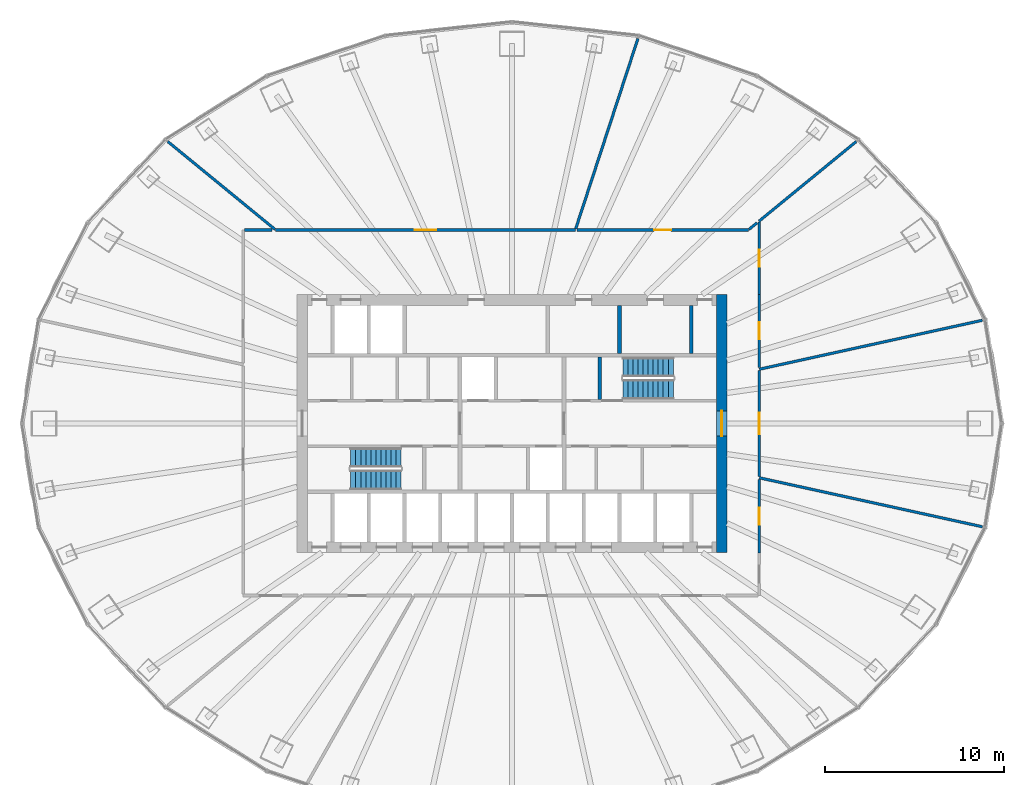
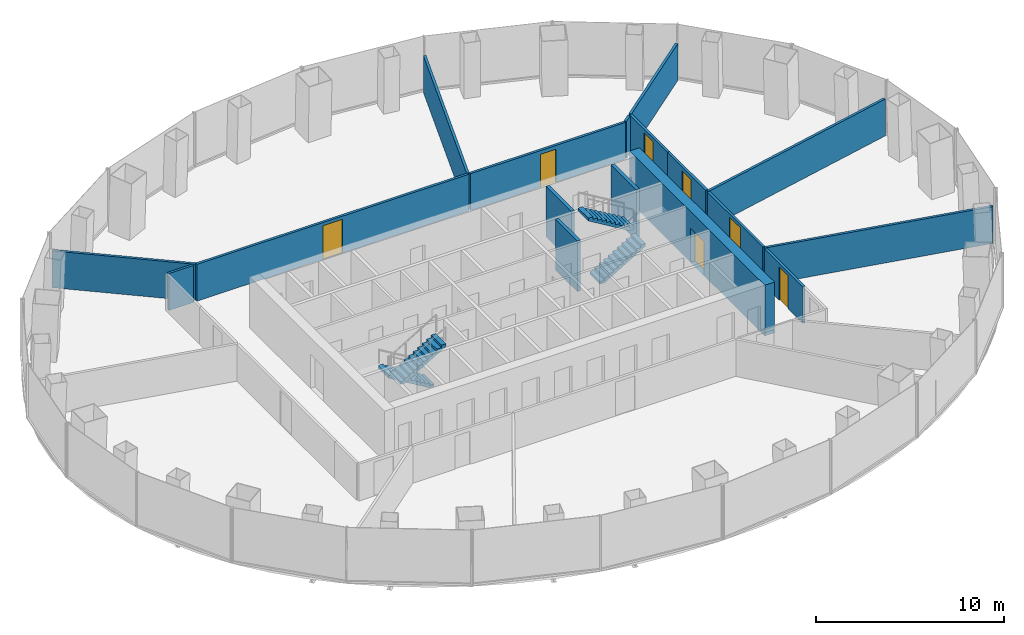
# One storey, part 10 of 11: 17 walls, 7 doors, 4 stair flights, 7 openings, 2 elements without a shape of their own.
"""IFC4 building model written with IfcOpenShell, lengths in metres."""

from ifc_helpers import new_model, si_unit, direction, frame, frame_2d, origin, place, context, subcontext, project, spatial, polyline, rectangle, outline, extrude, material, layer, layer_set, type_object, element, fill, aggregate, save


model = new_model("IFC4")

# Units and contexts
model_context = context("Model", 3, precision=1e-05, world=origin(), true_north=direction((0.0, 1.0)))
body_context = subcontext(model_context, "Body", "Model", "MODEL_VIEW")
ifc_project = project(units=[si_unit("LENGTHUNIT", "METRE"), si_unit("AREAUNIT", "SQUARE_METRE"), si_unit("VOLUMEUNIT", "CUBIC_METRE"), si_unit("PLANEANGLEUNIT", "RADIAN"), si_unit("MASSUNIT", "GRAM", prefix="KILO")], contexts=[model_context])

# Site, building, storey
site_placement = place(None, origin())
site = spatial("IfcSite", under=ifc_project, at=site_placement, CompositionType="ELEMENT")
building_placement = place(site_placement, origin())
building = spatial("IfcBuilding", under=site, at=building_placement, Name="Siaravel Broadcast Tower", CompositionType="ELEMENT")
storey_placement = place(building_placement, frame((0.0, 0.0, 66.699951171875)))
storey = spatial("IfcBuildingStorey", under=building, at=storey_placement, Name="L15", CompositionType="ELEMENT", Elevation=66.699951171875)

# Wall
ifc_material_1 = material(Name="Concrete blockwork", Category="masonry")
ifc_layer_1 = layer(ifc_material_1, 0.199951171875)
ifc_layer_set_1 = layer_set([ifc_layer_1], Name="Concrete blockwork")
wall_type_1 = type_object("IfcWallType", Name="Core partition 200", PredefinedType="PARTITIONING", material=ifc_layer_set_1)
wall_1_placement = place(storey_placement, frame((6.0, 3.89990234375, 0.0), z_axis=(0.0, 0.0, 1.0), x_axis=(0.0, 1.0, 0.0)))
element("IfcWall", 1, at=wall_1_placement, inside=storey, type_object=wall_type_1, Name="L15 core partition PFN6", PredefinedType="PARTITIONING", context=body_context, shape_type="SweptSolid", body=[
    extrude(rectangle(XDim=2.7001953125, YDim=0.199951171875, at=frame_2d((1.35009765625, 0.0))), origin(), (0.0, 0.0, 1.0), 3.300048828125),
])

# Wall, opening, door
ifc_material_2 = material(Name="Concrete C60/75", Category="concrete")
ifc_layer_2 = layer(ifc_material_2, 0.60009765625)
ifc_layer_set_2 = layer_set([ifc_layer_2], Name="Concrete C60/75")
wall_type_2 = type_object("IfcWallType", Name="Core wall 600", PredefinedType="SHEAR", material=ifc_layer_set_2)
wall_2_placement = place(storey_placement, frame((11.699951171875, -7.199951171875, 0.0), z_axis=(0.0, 0.0, 1.0), x_axis=(0.0, 1.0, 0.0)))
wall_2 = element("IfcWall", 2, at=wall_2_placement, inside=storey, type_object=wall_type_2, Name="L15 core wall OE", PredefinedType="SHEAR", context=body_context, shape_type="SweptSolid", body=[
    extrude(rectangle(XDim=14.39990234375, YDim=0.60009765625, at=frame_2d((7.199951171875, 0.0))), origin(), (0.0, 0.0, 1.0), 3.300048828125),
])
opening_1_placement = place(wall_2_placement, frame((6.5, 0.0, 0.0)))
opening_1 = element("IfcOpeningElement", 3, at=opening_1_placement, cuts=wall_2, Name="Opening L15-DX-E", PredefinedType="OPENING", context=body_context, shape_type="SweptSolid", body=[
    extrude(rectangle(XDim=1.39990234375, YDim=2.199951171875, at=frame_2d((0.699951171875, 1.10009765625))), frame((0.0, 0.31005859375, 0.0), z_axis=(0.0, -1.0, 0.0), x_axis=(1.0, 0.0, 0.0)), (0.0, 0.0, 1.0), 0.6201171875),
])
ifc_material_3 = material(Name="Steel", Category="steel")
door_type_1 = type_object("IfcDoorType", Name="Core exit door 1400", OperationType="DOUBLE_DOOR_SINGLE_SWING", PredefinedType="DOOR", material=ifc_material_3)
door_1_placement = place(opening_1_placement, origin())
door_1 = element("IfcDoor", 4, at=door_1_placement, inside=storey, type_object=door_type_1, Name="L15 door DX-E", OperationType="DOUBLE_DOOR_SINGLE_SWING", OverallHeight=2.199951171875, OverallWidth=1.39990234375, PredefinedType="DOOR", context=body_context, shape_type="SweptSolid", body=[
    extrude(rectangle(XDim=1.39990234375, YDim=2.199951171875, at=frame_2d((0.699951171875, 1.10009765625))), frame((0.0, 0.02490234375, 0.0), z_axis=(0.0, -1.0, 0.0), x_axis=(1.0, 0.0, 0.0)), (0.0, 0.0, 1.0), 0.050048828125),
])
fill(opening_1, door_1)

ifc_material_4 = material(Name="Gypsum board partition", Category="gypsum")
ifc_layer_3 = layer(ifc_material_4, 0.14990234375)
ifc_layer_set_3 = layer_set([ifc_layer_3], Name="Gypsum board partition")
wall_type_3 = type_object("IfcWallType", Name="Corridor wall 150", PredefinedType="PARTITIONING", material=ifc_layer_set_3)
wall_3_placement = place(storey_placement, frame((3.532958984375, 10.800048828125, 0.0), z_axis=(0.0, 0.0, 1.0), x_axis=(-1.0, 0.0, 0.0)))
wall_3 = element("IfcWall", 5, at=wall_3_placement, inside=storey, type_object=wall_type_3, Name="L15 partition 1", PredefinedType="PARTITIONING", context=body_context, shape_type="SweptSolid", body=[
    extrude(rectangle(XDim=16.718017578125, YDim=0.14990234375, at=frame_2d((8.35888671875, 0.0))), origin(), (0.0, 0.0, 1.0), 2.400146484375),
])
opening_2_placement = place(wall_3_placement, frame((7.759033203125, 0.0, 0.0)))
opening_2 = element("IfcOpeningElement", 6, at=opening_2_placement, cuts=wall_3, Name="Opening L15-007", PredefinedType="OPENING", context=body_context, shape_type="SweptSolid", body=[
    extrude(rectangle(XDim=1.199951171875, YDim=2.199951171875, at=frame_2d((0.60009765625, 1.10009765625))), frame((0.0, 0.0849609375, 0.0), z_axis=(0.0, -1.0, 0.0), x_axis=(1.0, 0.0, 0.0)), (0.0, 0.0, 1.0), 0.169921875),
])
ifc_material_5 = material(Name="Timber veneer", Category="wood")
door_type_2 = type_object("IfcDoorType", Name="Office double door 1200", OperationType="DOUBLE_DOOR_SINGLE_SWING", PredefinedType="DOOR", material=ifc_material_5)
door_2_placement = place(opening_2_placement, origin())
door_2 = element("IfcDoor", 7, at=door_2_placement, inside=storey, type_object=door_type_2, Name="L15 door to Open plan newsroom", OperationType="DOUBLE_DOOR_SINGLE_SWING", OverallHeight=2.199951171875, OverallWidth=1.199951171875, PredefinedType="DOOR", context=body_context, shape_type="SweptSolid", body=[
    extrude(rectangle(XDim=1.199951171875, YDim=2.199951171875, at=frame_2d((0.60009765625, 1.10009765625))), frame((0.0, 0.02490234375, 0.0), z_axis=(0.0, -1.0, 0.0), x_axis=(1.0, 0.0, 0.0)), (0.0, 0.0, 1.0), 0.050048828125),
])
fill(opening_2, door_2)

wall_4_placement = place(storey_placement, frame((13.18505859375, 10.800048828125, 0.0), z_axis=(0.0, 0.0, 1.0), x_axis=(-1.0, 0.0, 0.0)))
wall_4 = element("IfcWall", 8, at=wall_4_placement, inside=storey, type_object=wall_type_3, Name="L15 partition 12", PredefinedType="PARTITIONING", context=body_context, shape_type="SweptSolid", body=[
    extrude(rectangle(XDim=9.546630859375, YDim=0.14990234375, at=frame_2d((4.7734375, 0.0))), origin(), (0.0, 0.0, 1.0), 2.400146484375),
])
opening_3_placement = place(wall_4_placement, frame((4.29833984375, 0.0, 0.0)))
opening_3 = element("IfcOpeningElement", 9, at=opening_3_placement, cuts=wall_4, Name="Opening L15-006", PredefinedType="OPENING", context=body_context, shape_type="SweptSolid", body=[
    extrude(rectangle(XDim=0.949951171875, YDim=2.14990234375, at=frame_2d((0.47509765625, 1.074951171875))), frame((0.0, 0.0849609375, 0.0), z_axis=(0.0, -1.0, 0.0), x_axis=(1.0, 0.0, 0.0)), (0.0, 0.0, 1.0), 0.169921875),
])
door_type_3 = type_object("IfcDoorType", Name="Office door 950", OperationType="SINGLE_SWING_LEFT", PredefinedType="DOOR", material=ifc_material_5)
door_3_placement = place(opening_3_placement, origin())
door_3 = element("IfcDoor", 10, at=door_3_placement, inside=storey, type_object=door_type_3, Name="L15 door to Graphics studio", OperationType="SINGLE_SWING_RIGHT", OverallHeight=2.14990234375, OverallWidth=0.949951171875, PredefinedType="DOOR", context=body_context, shape_type="SweptSolid", body=[
    extrude(rectangle(XDim=0.949951171875, YDim=2.14990234375, at=frame_2d((0.47509765625, 1.074951171875))), frame((0.0, 0.02490234375, 0.0), z_axis=(0.0, -1.0, 0.0), x_axis=(1.0, 0.0, 0.0)), (0.0, 0.0, 1.0), 0.050048828125),
])
fill(opening_3, door_3)

wall_5_placement = place(storey_placement, frame((13.800048828125, -2.95361328125, 0.0), z_axis=(0.0, 0.0, 1.0), x_axis=(0.0, 1.0, 0.0)))
wall_5 = element("IfcWall", 11, at=wall_5_placement, inside=storey, type_object=wall_type_3, Name="L15 partition 16", PredefinedType="PARTITIONING", context=body_context, shape_type="SweptSolid", body=[
    extrude(rectangle(XDim=5.9072265625, YDim=0.14990234375, at=frame_2d((2.95361328125, 0.0))), origin(), (0.0, 0.0, 1.0), 2.400146484375),
])
opening_4_placement = place(wall_5_placement, frame((2.353515625, 0.0, 0.0)))
opening_4 = element("IfcOpeningElement", 12, at=opening_4_placement, cuts=wall_5, Name="Opening L15-003", PredefinedType="OPENING", context=body_context, shape_type="SweptSolid", body=[
    extrude(rectangle(XDim=1.199951171875, YDim=2.199951171875, at=frame_2d((0.60009765625, 1.10009765625))), frame((0.0, 0.0849609375, 0.0), z_axis=(0.0, -1.0, 0.0), x_axis=(1.0, 0.0, 0.0)), (0.0, 0.0, 1.0), 0.169921875),
])
door_4_placement = place(opening_4_placement, origin())
door_4 = element("IfcDoor", 13, at=door_4_placement, inside=storey, type_object=door_type_2, Name="L15 door to Newsroom desk office", OperationType="DOUBLE_DOOR_SINGLE_SWING", OverallHeight=2.199951171875, OverallWidth=1.199951171875, PredefinedType="DOOR", context=body_context, shape_type="SweptSolid", body=[
    extrude(rectangle(XDim=1.199951171875, YDim=2.199951171875, at=frame_2d((0.60009765625, 1.10009765625))), frame((0.0, 0.02490234375, 0.0), z_axis=(0.0, -1.0, 0.0), x_axis=(1.0, 0.0, 0.0)), (0.0, 0.0, 1.0), 0.050048828125),
])
fill(opening_4, door_4)

wall_6_placement = place(storey_placement, frame((13.800048828125, -7.2119140625, 0.0), z_axis=(0.0, 0.0, 1.0), x_axis=(0.0, 1.0, 0.0)))
wall_6 = element("IfcWall", 14, at=wall_6_placement, inside=storey, type_object=wall_type_3, Name="L15 partition 17", PredefinedType="PARTITIONING", context=body_context, shape_type="SweptSolid", body=[
    extrude(rectangle(XDim=4.087890625, YDim=0.14990234375, at=frame_2d((2.0439453125, 0.0))), origin(), (0.0, 0.0, 1.0), 2.400146484375),
])
opening_5_placement = place(wall_6_placement, frame((1.569091796875, 0.0, 0.0)))
opening_5 = element("IfcOpeningElement", 15, at=opening_5_placement, cuts=wall_6, Name="Opening L15-001", PredefinedType="OPENING", context=body_context, shape_type="SweptSolid", body=[
    extrude(rectangle(XDim=0.949951171875, YDim=2.14990234375, at=frame_2d((0.47509765625, 1.074951171875))), frame((0.0, 0.0849609375, 0.0), z_axis=(0.0, -1.0, 0.0), x_axis=(1.0, 0.0, 0.0)), (0.0, 0.0, 1.0), 0.169921875),
])
door_5_placement = place(opening_5_placement, origin())
door_5 = element("IfcDoor", 16, at=door_5_placement, inside=storey, type_object=door_type_3, Name="L15 door to Graphics studio", OperationType="SINGLE_SWING_LEFT", OverallHeight=2.14990234375, OverallWidth=0.949951171875, PredefinedType="DOOR", context=body_context, shape_type="SweptSolid", body=[
    extrude(rectangle(XDim=0.949951171875, YDim=2.14990234375, at=frame_2d((0.47509765625, 1.074951171875))), frame((0.0, 0.02490234375, 0.0), z_axis=(0.0, -1.0, 0.0), x_axis=(1.0, 0.0, 0.0)), (0.0, 0.0, 1.0), 0.050048828125),
])
fill(opening_5, door_5)

wall_7_placement = place(storey_placement, frame((13.800048828125, 3.1240234375, 0.0), z_axis=(0.0, 0.0, 1.0), x_axis=(0.0, 1.0, 0.0)))
wall_7 = element("IfcWall", 17, at=wall_7_placement, inside=storey, type_object=wall_type_3, Name="L15 partition 18", PredefinedType="PARTITIONING", context=body_context, shape_type="SweptSolid", body=[
    extrude(rectangle(XDim=4.087890625, YDim=0.14990234375, at=frame_2d((2.0439453125, 0.0))), origin(), (0.0, 0.0, 1.0), 2.400146484375),
])
opening_6_placement = place(wall_7_placement, frame((1.569091796875, 0.0, 0.0)))
opening_6 = element("IfcOpeningElement", 18, at=opening_6_placement, cuts=wall_7, Name="Opening L15-004", PredefinedType="OPENING", context=body_context, shape_type="SweptSolid", body=[
    extrude(rectangle(XDim=0.949951171875, YDim=2.14990234375, at=frame_2d((0.47509765625, 1.074951171875))), frame((0.0, 0.0849609375, 0.0), z_axis=(0.0, -1.0, 0.0), x_axis=(1.0, 0.0, 0.0)), (0.0, 0.0, 1.0), 0.169921875),
])
door_6_placement = place(opening_6_placement, origin())
door_6 = element("IfcDoor", 19, at=door_6_placement, inside=storey, type_object=door_type_3, Name="L15 door to Graphics studio", OperationType="SINGLE_SWING_RIGHT", OverallHeight=2.14990234375, OverallWidth=0.949951171875, PredefinedType="DOOR", context=body_context, shape_type="SweptSolid", body=[
    extrude(rectangle(XDim=0.949951171875, YDim=2.14990234375, at=frame_2d((0.47509765625, 1.074951171875))), frame((0.0, 0.02490234375, 0.0), z_axis=(0.0, -1.0, 0.0), x_axis=(1.0, 0.0, 0.0)), (0.0, 0.0, 1.0), 0.050048828125),
])
fill(opening_6, door_6)

wall_8_placement = place(storey_placement, frame((13.800048828125, 7.212890625, 0.0), z_axis=(0.0, 0.0, 1.0), x_axis=(0.0, 1.0, 0.0)))
wall_8 = element("IfcWall", 20, at=wall_8_placement, inside=storey, type_object=wall_type_3, Name="L15 partition 19", PredefinedType="PARTITIONING", context=body_context, shape_type="SweptSolid", body=[
    extrude(rectangle(XDim=4.02099609375, YDim=0.14990234375, at=frame_2d((2.010498046875, 0.0))), origin(), (0.0, 0.0, 1.0), 2.400146484375),
])
opening_7_placement = place(wall_8_placement, frame((1.535400390625, 0.0, 0.0)))
opening_7 = element("IfcOpeningElement", 21, at=opening_7_placement, cuts=wall_8, Name="Opening L15-005", PredefinedType="OPENING", context=body_context, shape_type="SweptSolid", body=[
    extrude(rectangle(XDim=0.949951171875, YDim=2.14990234375, at=frame_2d((0.47509765625, 1.074951171875))), frame((0.0, 0.0849609375, 0.0), z_axis=(0.0, -1.0, 0.0), x_axis=(1.0, 0.0, 0.0)), (0.0, 0.0, 1.0), 0.169921875),
])
door_7_placement = place(opening_7_placement, origin())
door_7 = element("IfcDoor", 22, at=door_7_placement, inside=storey, type_object=door_type_3, Name="L15 door to Graphics studio", OperationType="SINGLE_SWING_LEFT", OverallHeight=2.14990234375, OverallWidth=0.949951171875, PredefinedType="DOOR", context=body_context, shape_type="SweptSolid", body=[
    extrude(rectangle(XDim=0.949951171875, YDim=2.14990234375, at=frame_2d((0.47509765625, 1.074951171875))), frame((0.0, 0.02490234375, 0.0), z_axis=(0.0, -1.0, 0.0), x_axis=(1.0, 0.0, 0.0)), (0.0, 0.0, 1.0), 0.050048828125),
])
fill(opening_7, door_7)

# Walls
wall_9_placement = place(storey_placement, frame((-13.39697265625, 10.800048828125, 0.0), z_axis=(0.0, 0.0, 1.0), x_axis=(-1.0, 0.0, 0.0)))
element("IfcWall", 23, at=wall_9_placement, inside=storey, type_object=wall_type_3, Name="L15 partition 27", PredefinedType="PARTITIONING", context=body_context, shape_type="SweptSolid", body=[
    extrude(rectangle(XDim=1.526123046875, YDim=0.14990234375, at=frame_2d((0.76318359375, 0.0))), origin(), (0.0, 0.0, 1.0), 2.400146484375),
])
wall_10_placement = place(storey_placement, frame((13.67578125, 11.201904296875, 0.0), z_axis=(0.0, 0.0, 1.0), x_axis=(-0.773566552, -0.63371507, 0.0)))
element("IfcWall", 24, at=wall_10_placement, inside=storey, type_object=wall_type_3, Name="L15 partition 28", PredefinedType="PARTITIONING", context=body_context, shape_type="SweptSolid", body=[
    extrude(rectangle(XDim=0.584716796875, YDim=0.14990234375, at=frame_2d((0.29248046875, 0.0))), origin(), (0.0, 0.0, 1.0), 2.400146484375),
])
ifc_layer_4 = layer(ifc_material_4, 0.14990234375)
ifc_layer_set_4 = layer_set([ifc_layer_4], Name="Gypsum board partition")
wall_type_4 = type_object("IfcWallType", Name="Room partition 150", PredefinedType="PARTITIONING", material=ifc_layer_set_4)
wall_11_placement = place(storey_placement, frame((26.25048828125, -5.761474609375, 0.0), z_axis=(0.0, 0.0, 1.0), x_axis=(-0.976750213, 0.214380554, 0.0)))
element("IfcWall", 25, at=wall_11_placement, inside=storey, type_object=wall_type_4, Name="L15 partition 3", PredefinedType="PARTITIONING", context=body_context, shape_type="SweptSolid", body=[
    extrude(rectangle(XDim=12.746826171875, YDim=0.14990234375, at=frame_2d((6.37353515625, 0.0))), origin(), (0.0, 0.0, 1.0), 2.400146484375),
])
wall_12_placement = place(storey_placement, frame((26.249267578125, 5.76123046875, 0.0), z_axis=(0.0, 0.0, 1.0), x_axis=(-0.976749822, -0.214382335, 0.0)))
element("IfcWall", 26, at=wall_12_placement, inside=storey, type_object=wall_type_4, Name="L15 partition 4", PredefinedType="PARTITIONING", context=body_context, shape_type="SweptSolid", body=[
    extrude(rectangle(XDim=12.74560546875, YDim=0.14990234375, at=frame_2d((6.372802734375, 0.0))), origin(), (0.0, 0.0, 1.0), 2.400146484375),
])
wall_13_placement = place(storey_placement, frame((7.027587890625, 21.48291015625, 0.0), z_axis=(0.0, 0.0, 1.0), x_axis=(-0.31091662, -0.950437192, 0.0)))
element("IfcWall", 27, at=wall_13_placement, inside=storey, type_object=wall_type_4, Name="L15 partition 8", PredefinedType="PARTITIONING", context=body_context, shape_type="SweptSolid", body=[
    extrude(rectangle(XDim=11.166748046875, YDim=0.14990234375, at=frame_2d((5.58349609375, 0.0))), origin(), (0.0, 0.0, 1.0), 2.400146484375),
])
wall_14_placement = place(storey_placement, frame((-19.20849609375, 15.73388671875, 0.0), z_axis=(0.0, 0.0, 1.0), x_axis=(0.773597247, -0.633677598, 0.0)))
element("IfcWall", 28, at=wall_14_placement, inside=storey, type_object=wall_type_4, Name="L15 partition 13", PredefinedType="PARTITIONING", context=body_context, shape_type="SweptSolid", body=[
    extrude(rectangle(XDim=7.73681640625, YDim=0.14990234375, at=frame_2d((3.868408203125, 0.0))), origin(), (0.0, 0.0, 1.0), 2.400146484375),
])
wall_15_placement = place(storey_placement, frame((19.20703125, 15.732666015625, 0.0), z_axis=(0.0, 0.0, 1.0), x_axis=(-0.773587592, -0.633689385, 0.0)))
element("IfcWall", 29, at=wall_15_placement, inside=storey, type_object=wall_type_4, Name="L15 partition 14", PredefinedType="PARTITIONING", context=body_context, shape_type="SweptSolid", body=[
    extrude(rectangle(XDim=7.0048828125, YDim=0.14990234375, at=frame_2d((3.50244140625, 0.0))), origin(), (0.0, 0.0, 1.0), 2.400146484375),
])
ifc_layer_5 = layer(ifc_material_2, 0.199951171875)
ifc_layer_set_5 = layer_set([ifc_layer_5], Name="Concrete C60/75")
wall_type_5 = type_object("IfcWallType", Name="Shaft wall 200", PredefinedType="SHEAR", material=ifc_layer_set_5)
wall_16_placement = place(storey_placement, frame((10.0, 3.89990234375, 0.0), z_axis=(0.0, 0.0, 1.0), x_axis=(0.0, 1.0, 0.0)))
element("IfcWall", 30, at=wall_16_placement, inside=storey, type_object=wall_type_5, Name="L15 core wall SWN10", PredefinedType="SHEAR", context=body_context, shape_type="SweptSolid", body=[
    extrude(rectangle(XDim=2.7001953125, YDim=0.199951171875, at=frame_2d((1.35009765625, 0.0))), origin(), (0.0, 0.0, 1.0), 3.300048828125),
])
wall_17_placement = place(storey_placement, frame((4.89990234375, 1.35009765625, 0.0), z_axis=(0.0, 0.0, 1.0), x_axis=(0.0, 1.0, 0.0)))
element("IfcWall", 31, at=wall_17_placement, inside=storey, type_object=wall_type_5, Name="L15 core wall ST2W", PredefinedType="SHEAR", context=body_context, shape_type="SweptSolid", body=[
    extrude(rectangle(XDim=2.349853515625, YDim=0.199951171875, at=frame_2d((1.1748046875, 0.0))), origin(), (0.0, 0.0, 1.0), 3.300048828125),
])

# Stair, stair flights
ifc_material_6 = material(Name="Concrete C40/50", Category="concrete")
stair_type = type_object("IfcStairType", Name="Core exit stair", PredefinedType="HALF_TURN_STAIR", material=ifc_material_6)
stair_1_placement = place(storey_placement, origin())
stair_1 = element("IfcStair", 32, at=stair_1_placement, inside=storey, type_object=stair_type, Name="L15 Exit stair ST-1", PredefinedType="HALF_TURN_STAIR")
stair_flight_type = type_object("IfcStairFlightType", Name="Stair flight 1100", PredefinedType="STRAIGHT", material=ifc_material_6)
stair_flight_1_placement = place(storey_placement, frame((-6.199951171875, -1.89990234375, 0.0), z_axis=(0.0, 0.0, 1.0), x_axis=(-1.0, 0.0, 0.0)))
stair_flight_1 = element("IfcStairFlight", 33, at=stair_flight_1_placement, type_object=stair_flight_type, Name="ST-1 flight 1", NumberOfRisers=11, NumberOfTreads=10, PredefinedType="STRAIGHT", RiserHeight=0.1681818, TreadLength=0.28, context=body_context, shape_type="SweptSolid", body=[
    extrude(outline(polyline([(0.0, 0.0), (0.0, 0.168212890625), (0.280029296875, 0.168212890625), (0.280029296875, 0.33642578125), (0.56005859375, 0.33642578125), (0.56005859375, 0.504638671875), (0.840087890625, 0.504638671875), (0.840087890625, 0.672607421875), (1.1201171875, 0.672607421875), (1.1201171875, 0.8408203125), (1.39990234375, 0.8408203125), (1.39990234375, 1.009033203125), (1.679931640625, 1.009033203125), (1.679931640625, 1.17724609375), (1.9599609375, 1.17724609375), (1.9599609375, 1.345458984375), (2.239990234375, 1.345458984375), (2.239990234375, 1.513671875), (2.52001953125, 1.513671875), (2.52001953125, 1.681884765625), (2.800048828125, 1.681884765625), (2.800048828125, 1.85009765625), (2.800048828125, 1.5068359375), (0.291015625, 0.0), (0.0, 0.0)])), frame((0.0, 0.550048828125, 0.0), z_axis=(0.0, -1.0, 0.0), x_axis=(1.0, 0.0, 0.0)), (0.0, 0.0, 1.0), 1.10009765625),
])
stair_flight_2_placement = place(storey_placement, frame((-9.0, -3.14990234375, 1.85009765625), z_axis=(0.0, 0.0, 1.0), x_axis=(1.0, 0.0, 0.0)))
stair_flight_2 = element("IfcStairFlight", 34, at=stair_flight_2_placement, type_object=stair_flight_type, Name="ST-1 flight 2", NumberOfRisers=11, NumberOfTreads=10, PredefinedType="STRAIGHT", RiserHeight=0.1681818, TreadLength=0.28, context=body_context, shape_type="SweptSolid", body=[
    extrude(outline(polyline([(0.0, 0.0), (0.0, 0.168212890625), (0.280029296875, 0.168212890625), (0.280029296875, 0.33642578125), (0.56005859375, 0.33642578125), (0.56005859375, 0.504638671875), (0.840087890625, 0.504638671875), (0.840087890625, 0.672607421875), (1.1201171875, 0.672607421875), (1.1201171875, 0.8408203125), (1.39990234375, 0.8408203125), (1.39990234375, 1.009033203125), (1.679931640625, 1.009033203125), (1.679931640625, 1.17724609375), (1.9599609375, 1.17724609375), (1.9599609375, 1.345458984375), (2.239990234375, 1.345458984375), (2.239990234375, 1.513671875), (2.52001953125, 1.513671875), (2.52001953125, 1.681884765625), (2.800048828125, 1.681884765625), (2.800048828125, 1.85009765625), (2.800048828125, 1.5068359375), (0.291015625, 0.0), (0.0, 0.0)])), frame((0.0, 0.550048828125, 0.0), z_axis=(0.0, -1.0, 0.0), x_axis=(1.0, 0.0, 0.0)), (0.0, 0.0, 1.0), 1.10009765625),
])
aggregate(stair_1, [stair_flight_1, stair_flight_2])

stair_2_placement = place(storey_placement, origin())
stair_2 = element("IfcStair", 35, at=stair_2_placement, inside=storey, type_object=stair_type, Name="L15 Exit stair ST-2", PredefinedType="HALF_TURN_STAIR")
stair_flight_3_placement = place(storey_placement, frame((6.199951171875, 1.89990234375, 0.0), z_axis=(0.0, 0.0, 1.0), x_axis=(1.0, 0.0, 0.0)))
stair_flight_3 = element("IfcStairFlight", 36, at=stair_flight_3_placement, type_object=stair_flight_type, Name="ST-2 flight 1", NumberOfRisers=11, NumberOfTreads=10, PredefinedType="STRAIGHT", RiserHeight=0.1681818, TreadLength=0.28, context=body_context, shape_type="SweptSolid", body=[
    extrude(outline(polyline([(0.0, 0.0), (0.0, 0.168212890625), (0.280029296875, 0.168212890625), (0.280029296875, 0.33642578125), (0.56005859375, 0.33642578125), (0.56005859375, 0.504638671875), (0.840087890625, 0.504638671875), (0.840087890625, 0.672607421875), (1.1201171875, 0.672607421875), (1.1201171875, 0.8408203125), (1.39990234375, 0.8408203125), (1.39990234375, 1.009033203125), (1.679931640625, 1.009033203125), (1.679931640625, 1.17724609375), (1.9599609375, 1.17724609375), (1.9599609375, 1.345458984375), (2.239990234375, 1.345458984375), (2.239990234375, 1.513671875), (2.52001953125, 1.513671875), (2.52001953125, 1.681884765625), (2.800048828125, 1.681884765625), (2.800048828125, 1.85009765625), (2.800048828125, 1.5068359375), (0.291015625, 0.0), (0.0, 0.0)])), frame((0.0, 0.550048828125, 0.0), z_axis=(0.0, -1.0, 0.0), x_axis=(1.0, 0.0, 0.0)), (0.0, 0.0, 1.0), 1.10009765625),
])
stair_flight_4_placement = place(storey_placement, frame((9.0, 3.14990234375, 1.85009765625), z_axis=(0.0, 0.0, 1.0), x_axis=(-1.0, 0.0, 0.0)))
stair_flight_4 = element("IfcStairFlight", 37, at=stair_flight_4_placement, type_object=stair_flight_type, Name="ST-2 flight 2", NumberOfRisers=11, NumberOfTreads=10, PredefinedType="STRAIGHT", RiserHeight=0.1681818, TreadLength=0.28, context=body_context, shape_type="SweptSolid", body=[
    extrude(outline(polyline([(0.0, 0.0), (0.0, 0.168212890625), (0.280029296875, 0.168212890625), (0.280029296875, 0.33642578125), (0.56005859375, 0.33642578125), (0.56005859375, 0.504638671875), (0.840087890625, 0.504638671875), (0.840087890625, 0.672607421875), (1.1201171875, 0.672607421875), (1.1201171875, 0.8408203125), (1.39990234375, 0.8408203125), (1.39990234375, 1.009033203125), (1.679931640625, 1.009033203125), (1.679931640625, 1.17724609375), (1.9599609375, 1.17724609375), (1.9599609375, 1.345458984375), (2.239990234375, 1.345458984375), (2.239990234375, 1.513671875), (2.52001953125, 1.513671875), (2.52001953125, 1.681884765625), (2.800048828125, 1.681884765625), (2.800048828125, 1.85009765625), (2.800048828125, 1.5068359375), (0.291015625, 0.0), (0.0, 0.0)])), frame((0.0, 0.550048828125, 0.0), z_axis=(0.0, -1.0, 0.0), x_axis=(1.0, 0.0, 0.0)), (0.0, 0.0, 1.0), 1.10009765625),
])
aggregate(stair_2, [stair_flight_3, stair_flight_4])

save(model, "model.ifc")
